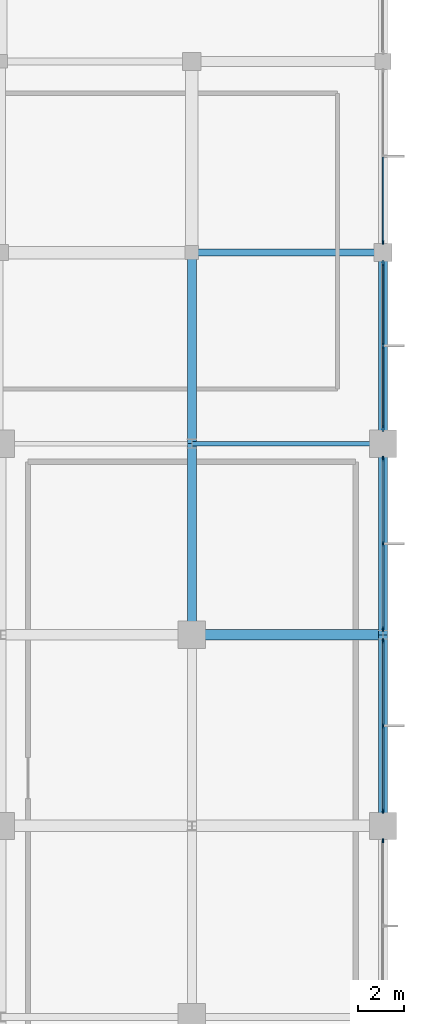
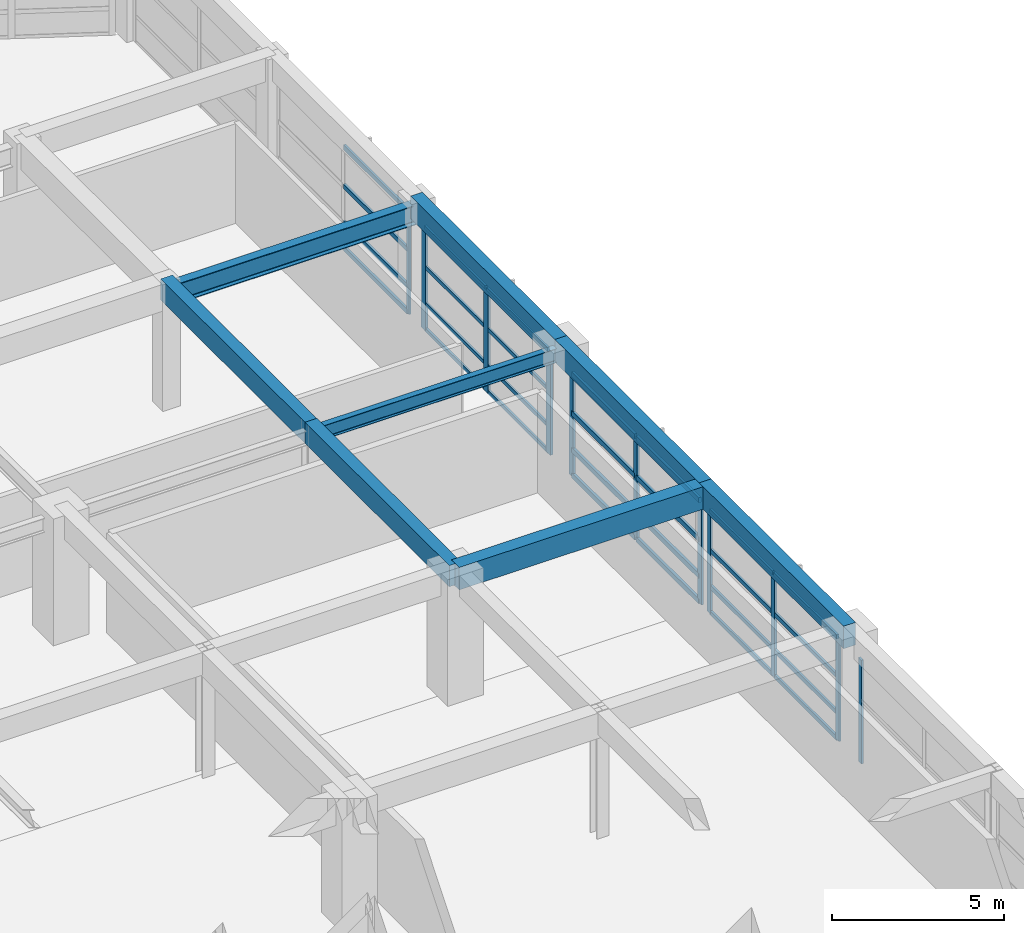
# One storey, part 39 of 65: 39 members, 8 beams, 5 elements without a shape of their own.
"""IFC4 building model written with IfcOpenShell, lengths in metres."""

import ifcopenshell
import ifcopenshell.guid

model = None  # the IFC model being written
_history = None  # IfcOwnerHistory: only IFC2X3 demands one
_inside = {}  # id of a spatial element -> (the spatial element, [elements in it])
_under = {}  # id of a project, library or spatial element -> (it, [spatial elements below it])
_declared = {}  # id of a project -> (the project, [libraries it declares])
_typed = {}  # id of a type object -> (the type object, [elements of that type])
_made_of = {}  # id of a material, layer set ... -> (it, [elements and type objects made of it])


def new_model(schema):
    """Start an empty IFC model of exactly this schema.

    Asked for "IFC4X3", IfcOpenShell would pick the latest addendum, in which some entities
    have other attributes; the version numbers below select the first issue.
    IFC2X3 requires an IfcOwnerHistory on every rooted entity: one is made here for all.
    """
    global model, _history
    if schema == "IFC4X3":
        model = ifcopenshell.file(schema_version=(4, 3, 0, 0))
    else:
        model = ifcopenshell.file(schema=schema)
    _inside.clear()
    _under.clear()
    _declared.clear()
    _typed.clear()
    _made_of.clear()
    _history = None
    if model.schema == "IFC2X3":
        org = make("IfcOrganization", Name="unknown")
        user = make(
            "IfcPersonAndOrganization",
            ThePerson=make("IfcPerson", FamilyName="unknown"),
            TheOrganization=org,
        )
        app = make(
            "IfcApplication",
            ApplicationDeveloper=org,
            Version="unknown",
            ApplicationFullName="unknown",
            ApplicationIdentifier="unknown",
        )
        _history = make(
            "IfcOwnerHistory",
            OwningUser=user,
            OwningApplication=app,
            ChangeAction="ADDED",
            CreationDate=0,
        )
    return model


def make(cls, **values):
    """One entity of the class cls with the attributes given. An attribute that is None is left unset."""
    return model.create_entity(
        cls, **{name: value for name, value in values.items() if value is not None}
    )


def rooted(cls, **values):
    """An entity with a GlobalId (a new one), such as an element, a storey or a relation."""
    return make(cls, GlobalId=ifcopenshell.guid.new(), OwnerHistory=_history, **values)


def si_unit(unit_type, name, prefix=None):
    """IfcSIUnit, for example si_unit("LENGTHUNIT", "METRE", prefix="MILLI")."""
    return make("IfcSIUnit", UnitType=unit_type, Prefix=prefix, Name=name)


def assignment(units):
    """IfcUnitAssignment: the units of a project."""
    return None if units is None else make("IfcUnitAssignment", Units=units)


def point(xyz):
    """IfcCartesianPoint."""
    return None if xyz is None else make("IfcCartesianPoint", Coordinates=xyz)


def direction(xyz):
    """IfcDirection."""
    return None if xyz is None else make("IfcDirection", DirectionRatios=xyz)


def frame(location, z_axis=None, x_axis=None):
    """IfcAxis2Placement3D, a coordinate frame: its origin and axes. An axis left out is left unset."""
    return make(
        "IfcAxis2Placement3D",
        Location=point(location),
        Axis=direction(z_axis),
        RefDirection=direction(x_axis),
    )


def frame_2d(location, x_axis=None):
    """IfcAxis2Placement2D, a coordinate frame in the plane: its origin and x axis."""
    return make(
        "IfcAxis2Placement2D", Location=point(location), RefDirection=direction(x_axis)
    )


def origin():
    """The frame at (0, 0, 0) with its axes left unset."""
    return frame((0.0, 0.0, 0.0))


def origin_2d():
    """The frame at (0, 0) in the plane with its x axis left unset."""
    return frame_2d((0.0, 0.0))


def place(relative_to, where):
    """IfcLocalPlacement: puts the frame where relative to a parent placement (None: the world)."""
    return make(
        "IfcLocalPlacement", PlacementRelTo=relative_to, RelativePlacement=where
    )


def context(
    kind, dimensions, precision=None, world=None, true_north=None, identifier=None
):
    """IfcGeometricRepresentationContext, for example the 3D "Model" context."""
    return make(
        "IfcGeometricRepresentationContext",
        ContextIdentifier=identifier,
        ContextType=kind,
        CoordinateSpaceDimension=dimensions,
        Precision=precision,
        WorldCoordinateSystem=world,
        TrueNorth=true_north,
    )


def subcontext(parent, identifier, kind, view, scale=None):
    """IfcGeometricRepresentationSubContext, for example "Body" below "Model"."""
    return make(
        "IfcGeometricRepresentationSubContext",
        ContextIdentifier=identifier,
        ContextType=kind,
        ParentContext=parent,
        TargetScale=scale,
        TargetView=view,
    )


def project(units=None, contexts=None):
    """IfcProject with its units and contexts."""
    return rooted(
        "IfcProject",
        Name="project",
        RepresentationContexts=contexts,
        UnitsInContext=assignment(units),
    )


def spatial(cls, under=None, at=None, **own):
    """A site, building, storey or space (cls), placed at a placement, below another one or the project."""
    s = rooted(cls, ObjectPlacement=at, **own)
    if under is not None:
        _under.setdefault(under.id(), (under, []))[1].append(s)
    return s


def profile(cls, at=None, kind="AREA", **sizes):
    """A parametric profile (cls). Its sizes go by their IFC names, for example OverallWidth=200.0."""
    return make(cls, ProfileType=kind, Position=at, **sizes)


def rectangle(**sizes):
    """IfcRectangleProfileDef."""
    return profile("IfcRectangleProfileDef", **sizes)


def i_section(**sizes):
    """IfcIShapeProfileDef."""
    return profile("IfcIShapeProfileDef", **sizes)


def extrude(swept, where, along, depth):
    """IfcExtrudedAreaSolid: the profile swept, set in the frame where, extruded along a direction by depth."""
    return make(
        "IfcExtrudedAreaSolid",
        SweptArea=swept,
        Position=where,
        ExtrudedDirection=direction(along),
        Depth=depth,
    )


def shape(context_of_items, identifier, shape_type, items):
    """IfcShapeRepresentation: the items that make up one representation, for example the "Body"."""
    return make(
        "IfcShapeRepresentation",
        ContextOfItems=context_of_items,
        RepresentationIdentifier=identifier,
        RepresentationType=shape_type,
        Items=items,
    )


def material(Name=None, Category=None):
    """IfcMaterial."""
    return make("IfcMaterial", Name=Name, Category=Category)


def material_profile(
    of_material, cross_section, Name=None, Category=None, Priority=None
):
    """IfcMaterialProfile: a cross section and its material."""
    return make(
        "IfcMaterialProfile",
        Name=Name,
        Material=of_material,
        Profile=cross_section,
        Priority=Priority,
        Category=Category,
    )


def profile_set(profiles, Name=None, composite=None):
    """IfcMaterialProfileSet."""
    return make(
        "IfcMaterialProfileSet",
        Name=Name,
        MaterialProfiles=profiles,
        CompositeProfile=composite,
    )


def made_of(thing, what):
    """Note that an element or type object is made of a material, layer set ...; save() writes the relation."""
    if what is not None:
        _made_of.setdefault(what.id(), (what, []))[1].append(thing)
    return thing


def type_object(cls, material=None, **own):
    """A type object (cls), such as IfcWallType, which elements share."""
    return made_of(rooted(cls, **own), material)


def element(
    cls,
    number,
    at=None,
    inside=None,
    cuts=None,
    type_object=None,
    material=None,
    context=None,
    identifier="Body",
    shape_type=None,
    held_by="IfcProductDefinitionShape",
    body=None,
    shapes=None,
    **own,
):
    """One element of the class cls, such as IfcWall. Its Tag is "e" and its number.

    at: its placement. inside: the storey or other place that contains it. cuts: it is an
    opening in that element (IfcRelVoidsElement). A single representation is given by context,
    identifier, shape_type and body (its items); several are given by shapes. held_by: the class
    of the entity that holds the representations. save() writes the other relations.
    """
    e = rooted(cls, Tag="e%d" % number, ObjectPlacement=at, **own)
    if body is not None:
        shapes = [shape(context, identifier, shape_type, body)]
    if shapes is not None:
        e.Representation = make(held_by, Representations=shapes)
    if inside is not None:
        _inside.setdefault(inside.id(), (inside, []))[1].append(e)
    if cuts is not None:
        rooted(
            "IfcRelVoidsElement", RelatingBuildingElement=cuts, RelatedOpeningElement=e
        )
    if type_object is not None:
        _typed.setdefault(type_object.id(), (type_object, []))[1].append(e)
    return made_of(e, material)


def aggregate(whole, parts):
    """IfcRelAggregates: a whole, such as a stair, and the parts it consists of."""
    return rooted("IfcRelAggregates", RelatingObject=whole, RelatedObjects=parts)


def save(model, path):
    """Write the relations noted so far, then the file.

    IfcRelAggregates (storeys below a building ...), IfcRelContainedInSpatialStructure (elements
    in a storey), IfcRelDefinesByType, IfcRelAssociatesMaterial and IfcRelDeclares: one each for
    every whole, place, type object, material and project.
    """
    for whole, parts in _under.values():
        aggregate(whole, parts)
    for where, things in _inside.values():
        rooted(
            "IfcRelContainedInSpatialStructure",
            RelatedElements=things,
            RelatingStructure=where,
        )
    for kind, things in _typed.values():
        rooted("IfcRelDefinesByType", RelatedObjects=things, RelatingType=kind)
    for what, things in _made_of.values():
        rooted("IfcRelAssociatesMaterial", RelatedObjects=things, RelatingMaterial=what)
    for by, libraries in _declared.values():
        rooted("IfcRelDeclares", RelatingContext=by, RelatedDefinitions=libraries)
    model.write(path)


model = new_model("IFC4")

# Units and contexts
model_context = context("Model", 3, precision=1e-05, world=origin(), true_north=direction((0.0, 1.0)))
body_context = subcontext(model_context, "Body", "Model", "MODEL_VIEW")
ifc_project = project(units=[si_unit("LENGTHUNIT", "METRE"), si_unit("AREAUNIT", "SQUARE_METRE"), si_unit("VOLUMEUNIT", "CUBIC_METRE"), si_unit("PLANEANGLEUNIT", "RADIAN"), si_unit("MASSUNIT", "GRAM", prefix="KILO")], contexts=[model_context])

# Site, building, storey
site_placement = place(None, origin())
site = spatial("IfcSite", under=ifc_project, at=site_placement, CompositionType="ELEMENT")
building_placement = place(site_placement, origin())
building = spatial("IfcBuilding", under=site, at=building_placement, Name="Xuanlan Plaza Opera House", CompositionType="ELEMENT")
storey_placement = place(building_placement, frame((0.0, 0.0, 5.39990234375)))
storey = spatial("IfcBuildingStorey", under=building, at=storey_placement, Name="L01", CompositionType="ELEMENT", Elevation=5.39990234375)

# Curtain wall, member
ifc_material_1 = material(Name="Anodised Aluminium 6063-T6 and Low-E Glass", Category="aluminium")
curtain_wall_type_1 = type_object("IfcCurtainWallType", Name="ENV-CW-CW-03", PredefinedType="USERDEFINED", material=ifc_material_1)
curtain_wall_1_placement = place(storey_placement, origin())
curtain_wall_1 = element("IfcCurtainWall", 1, at=curtain_wall_1_placement, inside=storey, type_object=curtain_wall_type_1, Name="Unitised Curtain Wall L01-028", ObjectType="UNITISED CURTAIN WALL", PredefinedType="USERDEFINED")
ifc_material_2 = material(Name="Anodised Aluminium 6063-T6", Category="aluminium")
ifc_material_profile_1 = material_profile(ifc_material_2, rectangle(XDim=0.06494140625, YDim=0.159912109375, at=origin_2d()), Name="ALU-M 65x160")
ifc_profile_set_1 = profile_set([ifc_material_profile_1], Name="Anodised Aluminium 6063-T6")
member_type_1 = type_object("IfcMemberType", Name="ENV-CWM-01", PredefinedType="MULLION", material=ifc_profile_set_1)
member_1_placement = place(storey_placement, frame((168.0, 92.8525390625, 0.0), z_axis=(0.0, 0.0, 1.0), x_axis=(-1.0, 0.0, 0.0)))
member_1 = element("IfcMember", 2, at=member_1_placement, type_object=member_type_1, Name="CW-03 mullion 1", PredefinedType="MULLION", context=body_context, shape_type="SweptSolid", body=[
    extrude(rectangle(XDim=0.06494140625, YDim=0.159912109375, at=origin_2d()), origin(), (0.0, 0.0, 1.0), 3.68017578125),
])

curtain_wall_2_placement = place(storey_placement, origin())
curtain_wall_2 = element("IfcCurtainWall", 3, at=curtain_wall_2_placement, inside=storey, type_object=curtain_wall_type_1, Name="Unitised Curtain Wall L01-024", ObjectType="UNITISED CURTAIN WALL", PredefinedType="USERDEFINED")
ifc_material_profile_2 = material_profile(ifc_material_2, rectangle(XDim=0.070068359375, YDim=0.179931640625, at=origin_2d()), Name="ALU-M 70x180")
ifc_profile_set_2 = profile_set([ifc_material_profile_2], Name="Anodised Aluminium 6063-T6")
member_type_2 = type_object("IfcMemberType", Name="ENV-CWM-02", PredefinedType="MULLION", material=ifc_profile_set_2)
member_2_placement = place(storey_placement, frame((168.0, 66.544921875, 0.0), z_axis=(0.0, 0.0, 1.0), x_axis=(-1.0, 0.0, 0.0)))
member_2 = element("IfcMember", 4, at=member_2_placement, type_object=member_type_2, Name="CW-03 mullion 3", PredefinedType="MULLION", context=body_context, shape_type="SweptSolid", body=[
    extrude(rectangle(XDim=0.070068359375, YDim=0.179931640625, at=origin_2d()), origin(), (0.0, 0.0, 1.0), 3.68017578125),
])
aggregate(curtain_wall_2, [member_2])

# Curtain wall, members
curtain_wall_type_2 = type_object("IfcCurtainWallType", Name="ENV-CW-CW-04", PredefinedType="USERDEFINED", material=ifc_material_1)
curtain_wall_3_placement = place(storey_placement, origin())
curtain_wall_3 = element("IfcCurtainWall", 5, at=curtain_wall_3_placement, inside=storey, type_object=curtain_wall_type_2, Name="Unitised Curtain Wall L01-025", ObjectType="UNITISED CURTAIN WALL", PredefinedType="USERDEFINED")
ifc_material_profile_3 = material_profile(ifc_material_2, rectangle(XDim=0.074951171875, YDim=0.199951171875, at=origin_2d()), Name="ALU-M 75x200")
ifc_profile_set_3 = profile_set([ifc_material_profile_3], Name="Anodised Aluminium 6063-T6")
member_type_3 = type_object("IfcMemberType", Name="ENV-CWM-03", PredefinedType="MULLION", material=ifc_profile_set_3)
member_3_placement = place(storey_placement, frame((168.0, 67.857421875, 0.0), z_axis=(0.0, 0.0, 1.0), x_axis=(-1.0, 0.0, 0.0)))
member_3 = element("IfcMember", 6, at=member_3_placement, type_object=member_type_3, Name="CW-04 mullion 1", PredefinedType="MULLION", context=body_context, shape_type="SweptSolid", body=[
    extrude(rectangle(XDim=0.074951171875, YDim=0.199951171875, at=origin_2d()), origin(), (0.0, 0.0, 1.0), 3.68017578125),
])
member_4_placement = place(storey_placement, frame((168.0, 71.596435546875, 0.0), z_axis=(0.0, 0.0, 1.0), x_axis=(-1.0, 0.0, 0.0)))
member_4 = element("IfcMember", 7, at=member_4_placement, type_object=member_type_3, Name="CW-04 mullion 2", PredefinedType="MULLION", context=body_context, shape_type="SweptSolid", body=[
    extrude(rectangle(XDim=0.074951171875, YDim=0.199951171875, at=origin_2d()), origin(), (0.0, 0.0, 1.0), 3.68017578125),
])
member_5_placement = place(storey_placement, frame((168.0, 75.33544921875, 0.0), z_axis=(0.0, 0.0, 1.0), x_axis=(-1.0, 0.0, 0.0)))
member_5 = element("IfcMember", 8, at=member_5_placement, type_object=member_type_3, Name="CW-04 mullion 3", PredefinedType="MULLION", context=body_context, shape_type="SweptSolid", body=[
    extrude(rectangle(XDim=0.074951171875, YDim=0.199951171875, at=origin_2d()), origin(), (0.0, 0.0, 1.0), 3.68017578125),
])

curtain_wall_type_3 = type_object("IfcCurtainWallType", Name="ENV-CW-CW-01", PredefinedType="USERDEFINED", material=ifc_material_1)
curtain_wall_4_placement = place(storey_placement, origin())
curtain_wall_4 = element("IfcCurtainWall", 9, at=curtain_wall_4_placement, inside=storey, type_object=curtain_wall_type_3, Name="Unitised Curtain Wall L01-026", ObjectType="UNITISED CURTAIN WALL", PredefinedType="USERDEFINED")
ifc_material_profile_4 = material_profile(ifc_material_2, rectangle(XDim=0.080078125, YDim=0.219970703125, at=origin_2d()), Name="ALU-M 80x220")
ifc_profile_set_4 = profile_set([ifc_material_profile_4], Name="Anodised Aluminium 6063-T6")
member_type_4 = type_object("IfcMemberType", Name="ENV-CWM-04", PredefinedType="MULLION", material=ifc_profile_set_4)
member_6_placement = place(storey_placement, frame((168.0, 75.866943359375, 0.0), z_axis=(0.0, 0.0, 1.0), x_axis=(-1.0, 0.0, 0.0)))
member_6 = element("IfcMember", 10, at=member_6_placement, type_object=member_type_4, Name="CW-01 mullion 1", PredefinedType="MULLION", context=body_context, shape_type="SweptSolid", body=[
    extrude(rectangle(XDim=0.080078125, YDim=0.219970703125, at=origin_2d()), origin(), (0.0, 0.0, 1.0), 3.68017578125),
])
member_7_placement = place(storey_placement, frame((168.0, 79.603515625, 0.0), z_axis=(0.0, 0.0, 1.0), x_axis=(-1.0, 0.0, 0.0)))
member_7 = element("IfcMember", 11, at=member_7_placement, type_object=member_type_4, Name="CW-01 mullion 2", PredefinedType="MULLION", context=body_context, shape_type="SweptSolid", body=[
    extrude(rectangle(XDim=0.080078125, YDim=0.219970703125, at=origin_2d()), origin(), (0.0, 0.0, 1.0), 3.68017578125),
])
member_8_placement = place(storey_placement, frame((168.0, 83.340087890625, 0.0), z_axis=(0.0, 0.0, 1.0), x_axis=(-1.0, 0.0, 0.0)))
member_8 = element("IfcMember", 12, at=member_8_placement, type_object=member_type_4, Name="CW-01 mullion 3", PredefinedType="MULLION", context=body_context, shape_type="SweptSolid", body=[
    extrude(rectangle(XDim=0.080078125, YDim=0.219970703125, at=origin_2d()), origin(), (0.0, 0.0, 1.0), 3.68017578125),
])

curtain_wall_type_4 = type_object("IfcCurtainWallType", Name="ENV-CW-CW-02", PredefinedType="USERDEFINED", material=ifc_material_1)
curtain_wall_5_placement = place(storey_placement, origin())
curtain_wall_5 = element("IfcCurtainWall", 13, at=curtain_wall_5_placement, inside=storey, type_object=curtain_wall_type_4, Name="Unitised Curtain Wall L01-027", ObjectType="UNITISED CURTAIN WALL", PredefinedType="USERDEFINED")
ifc_material_profile_5 = material_profile(ifc_material_2, rectangle(XDim=0.090087890625, YDim=0.25, at=origin_2d()), Name="ALU-M 90x250")
ifc_profile_set_5 = profile_set([ifc_material_profile_5], Name="Anodised Aluminium 6063-T6")
member_type_5 = type_object("IfcMemberType", Name="ENV-CWM-05", PredefinedType="MULLION", material=ifc_profile_set_5)
member_9_placement = place(storey_placement, frame((168.0, 84.6650390625, 0.0), z_axis=(0.0, 0.0, 1.0), x_axis=(-1.0, 0.0, 0.0)))
member_9 = element("IfcMember", 14, at=member_9_placement, type_object=member_type_5, Name="CW-02 mullion 1", PredefinedType="MULLION", context=body_context, shape_type="SweptSolid", body=[
    extrude(rectangle(XDim=0.090087890625, YDim=0.25, at=origin_2d()), origin(), (0.0, 0.0, 1.0), 3.68017578125),
])
member_10_placement = place(storey_placement, frame((168.0, 88.300048828125, 0.0), z_axis=(0.0, 0.0, 1.0), x_axis=(-1.0, 0.0, 0.0)))
member_10 = element("IfcMember", 15, at=member_10_placement, type_object=member_type_5, Name="CW-02 mullion 2", PredefinedType="MULLION", context=body_context, shape_type="SweptSolid", body=[
    extrude(rectangle(XDim=0.090087890625, YDim=0.25, at=origin_2d()), origin(), (0.0, 0.0, 1.0), 3.68017578125),
])
member_11_placement = place(storey_placement, frame((168.0, 91.93505859375, 0.0), z_axis=(0.0, 0.0, 1.0), x_axis=(-1.0, 0.0, 0.0)))
member_11 = element("IfcMember", 16, at=member_11_placement, type_object=member_type_5, Name="CW-02 mullion 3", PredefinedType="MULLION", context=body_context, shape_type="SweptSolid", body=[
    extrude(rectangle(XDim=0.090087890625, YDim=0.25, at=origin_2d()), origin(), (0.0, 0.0, 1.0), 3.68017578125),
])
ifc_material_profile_6 = material_profile(ifc_material_2, rectangle(XDim=0.070068359375, YDim=0.135009765625, at=origin_2d()), Name="ALU-T 70x135")
ifc_profile_set_6 = profile_set([ifc_material_profile_6], Name="Anodised Aluminium 6063-T6")
member_type_6 = type_object("IfcMemberType", Name="ENV-CWT-02", PredefinedType="USERDEFINED", material=ifc_profile_set_6)
member_12_placement = place(storey_placement, frame((168.0, 84.7099609375, 0.03515625), z_axis=(0.0, 1.0, 0.0), x_axis=(-1.0, 0.0, 0.0)))
member_12 = element("IfcMember", 17, at=member_12_placement, type_object=member_type_6, Name="CW-02 transom 1.1", ObjectType="TRANSOM", PredefinedType="USERDEFINED", context=body_context, shape_type="SweptSolid", body=[
    extrude(rectangle(XDim=0.070068359375, YDim=0.135009765625, at=origin_2d()), origin(), (0.0, 0.0, 1.0), 3.544921875),
])
member_13_placement = place(storey_placement, frame((168.0, 84.7099609375, 0.9501953125), z_axis=(0.0, 1.0, 0.0), x_axis=(-1.0, 0.0, 0.0)))
member_13 = element("IfcMember", 18, at=member_13_placement, type_object=member_type_6, Name="CW-02 transom 1.2", ObjectType="TRANSOM", PredefinedType="USERDEFINED", context=body_context, shape_type="SweptSolid", body=[
    extrude(rectangle(XDim=0.070068359375, YDim=0.135009765625, at=origin_2d()), origin(), (0.0, 0.0, 1.0), 3.544921875),
])
member_14_placement = place(storey_placement, frame((168.0, 84.7099609375, 2.25), z_axis=(0.0, 1.0, 0.0), x_axis=(-1.0, 0.0, 0.0)))
member_14 = element("IfcMember", 19, at=member_14_placement, type_object=member_type_6, Name="CW-02 transom 1.3", ObjectType="TRANSOM", PredefinedType="USERDEFINED", context=body_context, shape_type="SweptSolid", body=[
    extrude(rectangle(XDim=0.070068359375, YDim=0.135009765625, at=origin_2d()), origin(), (0.0, 0.0, 1.0), 3.544921875),
])
member_15_placement = place(storey_placement, frame((168.0, 84.7099609375, 3.64501953125), z_axis=(0.0, 1.0, 0.0), x_axis=(-1.0, 0.0, 0.0)))
member_15 = element("IfcMember", 20, at=member_15_placement, type_object=member_type_6, Name="CW-02 transom 1.4", ObjectType="TRANSOM", PredefinedType="USERDEFINED", context=body_context, shape_type="SweptSolid", body=[
    extrude(rectangle(XDim=0.070068359375, YDim=0.135009765625, at=origin_2d()), origin(), (0.0, 0.0, 1.0), 3.544921875),
])
member_16_placement = place(storey_placement, frame((168.0, 88.344970703125, 0.03515625), z_axis=(0.0, 1.0, 0.0), x_axis=(-1.0, 0.0, 0.0)))
member_16 = element("IfcMember", 21, at=member_16_placement, type_object=member_type_6, Name="CW-02 transom 2.1", ObjectType="TRANSOM", PredefinedType="USERDEFINED", context=body_context, shape_type="SweptSolid", body=[
    extrude(rectangle(XDim=0.070068359375, YDim=0.135009765625, at=origin_2d()), origin(), (0.0, 0.0, 1.0), 3.544921875),
])
member_17_placement = place(storey_placement, frame((168.0, 88.344970703125, 0.9501953125), z_axis=(0.0, 1.0, 0.0), x_axis=(-1.0, 0.0, 0.0)))
member_17 = element("IfcMember", 22, at=member_17_placement, type_object=member_type_6, Name="CW-02 transom 2.2", ObjectType="TRANSOM", PredefinedType="USERDEFINED", context=body_context, shape_type="SweptSolid", body=[
    extrude(rectangle(XDim=0.070068359375, YDim=0.135009765625, at=origin_2d()), origin(), (0.0, 0.0, 1.0), 3.544921875),
])
member_18_placement = place(storey_placement, frame((168.0, 88.344970703125, 2.25), z_axis=(0.0, 1.0, 0.0), x_axis=(-1.0, 0.0, 0.0)))
member_18 = element("IfcMember", 23, at=member_18_placement, type_object=member_type_6, Name="CW-02 transom 2.3", ObjectType="TRANSOM", PredefinedType="USERDEFINED", context=body_context, shape_type="SweptSolid", body=[
    extrude(rectangle(XDim=0.070068359375, YDim=0.135009765625, at=origin_2d()), origin(), (0.0, 0.0, 1.0), 3.544921875),
])
member_19_placement = place(storey_placement, frame((168.0, 88.344970703125, 3.64501953125), z_axis=(0.0, 1.0, 0.0), x_axis=(-1.0, 0.0, 0.0)))
member_19 = element("IfcMember", 24, at=member_19_placement, type_object=member_type_6, Name="CW-02 transom 2.4", ObjectType="TRANSOM", PredefinedType="USERDEFINED", context=body_context, shape_type="SweptSolid", body=[
    extrude(rectangle(XDim=0.070068359375, YDim=0.135009765625, at=origin_2d()), origin(), (0.0, 0.0, 1.0), 3.544921875),
])
aggregate(curtain_wall_5, [member_9, member_10, member_11, member_12, member_13, member_14, member_15, member_16, member_17, member_18, member_19])

# Member
ifc_material_profile_7 = material_profile(ifc_material_2, rectangle(XDim=0.074951171875, YDim=0.14990234375, at=origin_2d()), Name="ALU-T 75x150")
ifc_profile_set_7 = profile_set([ifc_material_profile_7], Name="Anodised Aluminium 6063-T6")
member_type_7 = type_object("IfcMemberType", Name="ENV-CWT-03", PredefinedType="USERDEFINED", material=ifc_profile_set_7)
member_20_placement = place(storey_placement, frame((168.0, 67.89501953125, 0.03759765625), z_axis=(0.0, 1.0, 0.0), x_axis=(-1.0, 0.0, 0.0)))
member_20 = element("IfcMember", 25, at=member_20_placement, type_object=member_type_7, Name="CW-04 transom 1.1", ObjectType="TRANSOM", PredefinedType="USERDEFINED", context=body_context, shape_type="SweptSolid", body=[
    extrude(rectangle(XDim=0.074951171875, YDim=0.14990234375, at=origin_2d()), origin(), (0.0, 0.0, 1.0), 3.6640625),
])

member_21_placement = place(storey_placement, frame((168.0, 67.89501953125, 0.9501953125), z_axis=(0.0, 1.0, 0.0), x_axis=(-1.0, 0.0, 0.0)))
member_21 = element("IfcMember", 26, at=member_21_placement, type_object=member_type_7, Name="CW-04 transom 1.2", ObjectType="TRANSOM", PredefinedType="USERDEFINED", context=body_context, shape_type="SweptSolid", body=[
    extrude(rectangle(XDim=0.074951171875, YDim=0.14990234375, at=origin_2d()), origin(), (0.0, 0.0, 1.0), 3.6640625),
])

member_22_placement = place(storey_placement, frame((168.0, 67.89501953125, 2.25), z_axis=(0.0, 1.0, 0.0), x_axis=(-1.0, 0.0, 0.0)))
member_22 = element("IfcMember", 27, at=member_22_placement, type_object=member_type_7, Name="CW-04 transom 1.3", ObjectType="TRANSOM", PredefinedType="USERDEFINED", context=body_context, shape_type="SweptSolid", body=[
    extrude(rectangle(XDim=0.074951171875, YDim=0.14990234375, at=origin_2d()), origin(), (0.0, 0.0, 1.0), 3.6640625),
])

member_23_placement = place(storey_placement, frame((168.0, 67.89501953125, 3.642578125), z_axis=(0.0, 1.0, 0.0), x_axis=(-1.0, 0.0, 0.0)))
member_23 = element("IfcMember", 28, at=member_23_placement, type_object=member_type_7, Name="CW-04 transom 1.4", ObjectType="TRANSOM", PredefinedType="USERDEFINED", context=body_context, shape_type="SweptSolid", body=[
    extrude(rectangle(XDim=0.074951171875, YDim=0.14990234375, at=origin_2d()), origin(), (0.0, 0.0, 1.0), 3.6640625),
])

member_24_placement = place(storey_placement, frame((168.0, 71.634033203125, 0.03759765625), z_axis=(0.0, 1.0, 0.0), x_axis=(-1.0, 0.0, 0.0)))
member_24 = element("IfcMember", 29, at=member_24_placement, type_object=member_type_7, Name="CW-04 transom 2.1", ObjectType="TRANSOM", PredefinedType="USERDEFINED", context=body_context, shape_type="SweptSolid", body=[
    extrude(rectangle(XDim=0.074951171875, YDim=0.14990234375, at=origin_2d()), origin(), (0.0, 0.0, 1.0), 3.6640625),
])

member_25_placement = place(storey_placement, frame((168.0, 71.634033203125, 0.9501953125), z_axis=(0.0, 1.0, 0.0), x_axis=(-1.0, 0.0, 0.0)))
member_25 = element("IfcMember", 30, at=member_25_placement, type_object=member_type_7, Name="CW-04 transom 2.2", ObjectType="TRANSOM", PredefinedType="USERDEFINED", context=body_context, shape_type="SweptSolid", body=[
    extrude(rectangle(XDim=0.074951171875, YDim=0.14990234375, at=origin_2d()), origin(), (0.0, 0.0, 1.0), 3.6640625),
])

member_26_placement = place(storey_placement, frame((168.0, 71.634033203125, 2.25), z_axis=(0.0, 1.0, 0.0), x_axis=(-1.0, 0.0, 0.0)))
member_26 = element("IfcMember", 31, at=member_26_placement, type_object=member_type_7, Name="CW-04 transom 2.3", ObjectType="TRANSOM", PredefinedType="USERDEFINED", context=body_context, shape_type="SweptSolid", body=[
    extrude(rectangle(XDim=0.074951171875, YDim=0.14990234375, at=origin_2d()), origin(), (0.0, 0.0, 1.0), 3.6640625),
])

member_27_placement = place(storey_placement, frame((168.0, 71.634033203125, 3.642578125), z_axis=(0.0, 1.0, 0.0), x_axis=(-1.0, 0.0, 0.0)))
member_27 = element("IfcMember", 32, at=member_27_placement, type_object=member_type_7, Name="CW-04 transom 2.4", ObjectType="TRANSOM", PredefinedType="USERDEFINED", context=body_context, shape_type="SweptSolid", body=[
    extrude(rectangle(XDim=0.074951171875, YDim=0.14990234375, at=origin_2d()), origin(), (0.0, 0.0, 1.0), 3.6640625),
])

aggregate(curtain_wall_3, [member_3, member_4, member_5, member_20, member_21, member_22, member_23, member_24, member_25, member_26, member_27])

ifc_material_profile_8 = material_profile(ifc_material_2, rectangle(XDim=0.080078125, YDim=0.1650390625, at=origin_2d()), Name="ALU-T 80x165")
ifc_profile_set_8 = profile_set([ifc_material_profile_8], Name="Anodised Aluminium 6063-T6")
member_type_8 = type_object("IfcMemberType", Name="ENV-CWT-04", PredefinedType="USERDEFINED", material=ifc_profile_set_8)
member_28_placement = place(storey_placement, frame((168.0, 92.885009765625, 0.0400390625), z_axis=(0.0, 1.0, 0.0), x_axis=(-1.0, 0.0, 0.0)))
member_28 = element("IfcMember", 33, at=member_28_placement, type_object=member_type_8, Name="CW-03 transom 1.1", ObjectType="TRANSOM", PredefinedType="USERDEFINED", context=body_context, shape_type="SweptSolid", body=[
    extrude(rectangle(XDim=0.080078125, YDim=0.1650390625, at=origin_2d()), origin(), (0.0, 0.0, 1.0), 3.70751953125),
])

member_29_placement = place(storey_placement, frame((168.0, 92.885009765625, 0.9501953125), z_axis=(0.0, 1.0, 0.0), x_axis=(-1.0, 0.0, 0.0)))
member_29 = element("IfcMember", 34, at=member_29_placement, type_object=member_type_8, Name="CW-03 transom 1.2", ObjectType="TRANSOM", PredefinedType="USERDEFINED", context=body_context, shape_type="SweptSolid", body=[
    extrude(rectangle(XDim=0.080078125, YDim=0.1650390625, at=origin_2d()), origin(), (0.0, 0.0, 1.0), 3.70751953125),
])

member_30_placement = place(storey_placement, frame((168.0, 92.885009765625, 2.25), z_axis=(0.0, 1.0, 0.0), x_axis=(-1.0, 0.0, 0.0)))
member_30 = element("IfcMember", 35, at=member_30_placement, type_object=member_type_8, Name="CW-03 transom 1.3", ObjectType="TRANSOM", PredefinedType="USERDEFINED", context=body_context, shape_type="SweptSolid", body=[
    extrude(rectangle(XDim=0.080078125, YDim=0.1650390625, at=origin_2d()), origin(), (0.0, 0.0, 1.0), 3.70751953125),
])

member_31_placement = place(storey_placement, frame((168.0, 92.885009765625, 3.64013671875), z_axis=(0.0, 1.0, 0.0), x_axis=(-1.0, 0.0, 0.0)))
member_31 = element("IfcMember", 36, at=member_31_placement, type_object=member_type_8, Name="CW-03 transom 1.4", ObjectType="TRANSOM", PredefinedType="USERDEFINED", context=body_context, shape_type="SweptSolid", body=[
    extrude(rectangle(XDim=0.080078125, YDim=0.1650390625, at=origin_2d()), origin(), (0.0, 0.0, 1.0), 3.70751953125),
])

aggregate(curtain_wall_1, [member_1, member_28, member_29, member_30, member_31])

ifc_material_profile_9 = material_profile(ifc_material_2, rectangle(XDim=0.090087890625, YDim=0.179931640625, at=origin_2d()), Name="ALU-T 90x180")
ifc_profile_set_9 = profile_set([ifc_material_profile_9], Name="Anodised Aluminium 6063-T6")
member_type_9 = type_object("IfcMemberType", Name="ENV-CWT-05", PredefinedType="USERDEFINED", material=ifc_profile_set_9)
member_32_placement = place(storey_placement, frame((168.0, 75.906982421875, 0.045166015625), z_axis=(0.0, 1.0, 0.0), x_axis=(-1.0, 0.0, 0.0)))
member_32 = element("IfcMember", 37, at=member_32_placement, type_object=member_type_9, Name="CW-01 transom 1.1", ObjectType="TRANSOM", PredefinedType="USERDEFINED", context=body_context, shape_type="SweptSolid", body=[
    extrude(rectangle(XDim=0.090087890625, YDim=0.179931640625, at=origin_2d()), origin(), (0.0, 0.0, 1.0), 3.656494140625),
])

member_33_placement = place(storey_placement, frame((168.0, 75.906982421875, 0.9501953125), z_axis=(0.0, 1.0, 0.0), x_axis=(-1.0, 0.0, 0.0)))
member_33 = element("IfcMember", 38, at=member_33_placement, type_object=member_type_9, Name="CW-01 transom 1.2", ObjectType="TRANSOM", PredefinedType="USERDEFINED", context=body_context, shape_type="SweptSolid", body=[
    extrude(rectangle(XDim=0.090087890625, YDim=0.179931640625, at=origin_2d()), origin(), (0.0, 0.0, 1.0), 3.656494140625),
])

member_34_placement = place(storey_placement, frame((168.0, 75.906982421875, 2.25), z_axis=(0.0, 1.0, 0.0), x_axis=(-1.0, 0.0, 0.0)))
member_34 = element("IfcMember", 39, at=member_34_placement, type_object=member_type_9, Name="CW-01 transom 1.3", ObjectType="TRANSOM", PredefinedType="USERDEFINED", context=body_context, shape_type="SweptSolid", body=[
    extrude(rectangle(XDim=0.090087890625, YDim=0.179931640625, at=origin_2d()), origin(), (0.0, 0.0, 1.0), 3.656494140625),
])

member_35_placement = place(storey_placement, frame((168.0, 75.906982421875, 3.635009765625), z_axis=(0.0, 1.0, 0.0), x_axis=(-1.0, 0.0, 0.0)))
member_35 = element("IfcMember", 40, at=member_35_placement, type_object=member_type_9, Name="CW-01 transom 1.4", ObjectType="TRANSOM", PredefinedType="USERDEFINED", context=body_context, shape_type="SweptSolid", body=[
    extrude(rectangle(XDim=0.090087890625, YDim=0.179931640625, at=origin_2d()), origin(), (0.0, 0.0, 1.0), 3.656494140625),
])

member_36_placement = place(storey_placement, frame((168.0, 79.6435546875, 0.045166015625), z_axis=(0.0, 1.0, 0.0), x_axis=(-1.0, 0.0, 0.0)))
member_36 = element("IfcMember", 41, at=member_36_placement, type_object=member_type_9, Name="CW-01 transom 2.1", ObjectType="TRANSOM", PredefinedType="USERDEFINED", context=body_context, shape_type="SweptSolid", body=[
    extrude(rectangle(XDim=0.090087890625, YDim=0.179931640625, at=origin_2d()), origin(), (0.0, 0.0, 1.0), 3.656494140625),
])

member_37_placement = place(storey_placement, frame((168.0, 79.6435546875, 0.9501953125), z_axis=(0.0, 1.0, 0.0), x_axis=(-1.0, 0.0, 0.0)))
member_37 = element("IfcMember", 42, at=member_37_placement, type_object=member_type_9, Name="CW-01 transom 2.2", ObjectType="TRANSOM", PredefinedType="USERDEFINED", context=body_context, shape_type="SweptSolid", body=[
    extrude(rectangle(XDim=0.090087890625, YDim=0.179931640625, at=origin_2d()), origin(), (0.0, 0.0, 1.0), 3.656494140625),
])

member_38_placement = place(storey_placement, frame((168.0, 79.6435546875, 2.25), z_axis=(0.0, 1.0, 0.0), x_axis=(-1.0, 0.0, 0.0)))
member_38 = element("IfcMember", 43, at=member_38_placement, type_object=member_type_9, Name="CW-01 transom 2.3", ObjectType="TRANSOM", PredefinedType="USERDEFINED", context=body_context, shape_type="SweptSolid", body=[
    extrude(rectangle(XDim=0.090087890625, YDim=0.179931640625, at=origin_2d()), origin(), (0.0, 0.0, 1.0), 3.656494140625),
])

member_39_placement = place(storey_placement, frame((168.0, 79.6435546875, 3.635009765625), z_axis=(0.0, 1.0, 0.0), x_axis=(-1.0, 0.0, 0.0)))
member_39 = element("IfcMember", 44, at=member_39_placement, type_object=member_type_9, Name="CW-01 transom 2.4", ObjectType="TRANSOM", PredefinedType="USERDEFINED", context=body_context, shape_type="SweptSolid", body=[
    extrude(rectangle(XDim=0.090087890625, YDim=0.179931640625, at=origin_2d()), origin(), (0.0, 0.0, 1.0), 3.656494140625),
])

aggregate(curtain_wall_4, [member_6, member_7, member_8, member_32, member_33, member_34, member_35, member_36, member_37, member_38, member_39])

# Beams
ifc_material_3 = material(Name="Concrete C40", Category="concrete")
ifc_material_profile_10 = material_profile(ifc_material_3, rectangle(XDim=0.449951171875, YDim=0.800048828125, at=origin_2d()), Name="RC-BM 450x800")
ifc_profile_set_10 = profile_set([ifc_material_profile_10], Name="Concrete C40")
beam_type_1 = type_object("IfcBeamType", Name="STR-BM-B-05", PredefinedType="BEAM", material=ifc_profile_set_10)
beam_1_placement = place(storey_placement, frame((159.60009765625, 75.60009765625, 4.10009765625), z_axis=(1.0, 0.0, 0.0), x_axis=(0.0, 1.0, 0.0)))
element("IfcBeam", 45, at=beam_1_placement, inside=storey, type_object=beam_type_1, Name="Grid Beam X L01 20-21/J", PredefinedType="BEAM", context=body_context, shape_type="SweptSolid", body=[
    extrude(rectangle(XDim=0.449951171875, YDim=0.800048828125, at=origin_2d()), origin(), (0.0, 0.0, 1.0), 8.39990234375),
])
ifc_material_profile_11 = material_profile(ifc_material_3, rectangle(XDim=0.39990234375, YDim=0.75, at=origin_2d()), Name="RC-BM 400x750")
ifc_profile_set_11 = profile_set([ifc_material_profile_11], Name="Concrete C40")
beam_type_2 = type_object("IfcBeamType", Name="STR-BM-B-06", PredefinedType="BEAM", material=ifc_profile_set_11)
for number, where, z_axis, x_axis, name in (
    (46, (159.60009765625, 75.60009765625, 4.125), (0.0, 1.0, 0.0), (-1.0, 0.0, 0.0), "Grid Beam Y L01 20/J-K"),
    (47, (159.60009765625, 84.0, 4.125), (0.0, 1.0, 0.0), (-1.0, 0.0, 0.0), "Grid Beam Y L01 20/K-L"),
):
    element("IfcBeam", number, at=place(storey_placement, frame(where, z_axis=z_axis, x_axis=x_axis)), inside=storey, type_object=beam_type_2, Name=name, PredefinedType="BEAM", context=body_context, shape_type="SweptSolid", body=[
        extrude(rectangle(XDim=0.39990234375, YDim=0.75, at=origin_2d()), origin(), (0.0, 0.0, 1.0), 8.39990234375),
    ])
ifc_material_4 = material(Name="Steel Q355B", Category="steel")
ifc_material_profile_12 = material_profile(ifc_material_4, i_section(OverallWidth=0.300048828125, OverallDepth=0.699951171875, WebThickness=0.012939453125, FlangeThickness=0.02392578125, FilletRadius=0.02392578125, at=origin_2d()), Name="HN 700x300x13x24")
ifc_profile_set_12 = profile_set([ifc_material_profile_12], Name="Steel Q355B")
beam_type_3 = type_object("IfcBeamType", Name="STR-BM-SB-03", PredefinedType="BEAM", material=ifc_profile_set_12)
beam_2_placement = place(storey_placement, frame((159.60009765625, 92.39990234375, 3.885009765625), z_axis=(1.0, 0.0, 0.0), x_axis=(0.0, 1.0, 0.0)))
element("IfcBeam", 48, at=beam_2_placement, inside=storey, type_object=beam_type_3, Name="Grid Beam X L01 20-21/L", PredefinedType="BEAM", context=body_context, shape_type="SweptSolid", body=[
    extrude(i_section(OverallWidth=0.300048828125, OverallDepth=0.699951171875, WebThickness=0.012939453125, FlangeThickness=0.02392578125, FilletRadius=0.02392578125, at=origin_2d()), origin(), (0.0, 0.0, 1.0), 8.39990234375),
])
ifc_material_profile_13 = material_profile(ifc_material_4, i_section(OverallWidth=0.199951171875, OverallDepth=0.5, WebThickness=0.010009765625, FlangeThickness=0.01611328125, FilletRadius=0.02001953125, at=origin_2d()), Name="HN 500x200x10x16")
ifc_profile_set_13 = profile_set([ifc_material_profile_13], Name="Steel Q355B")
beam_type_4 = type_object("IfcBeamType", Name="STR-BM-SB-05", PredefinedType="BEAM", material=ifc_profile_set_13)
beam_3_placement = place(storey_placement, frame((159.60009765625, 84.0, 3.985107421875), z_axis=(1.0, 0.0, 0.0), x_axis=(0.0, 1.0, 0.0)))
element("IfcBeam", 49, at=beam_3_placement, inside=storey, type_object=beam_type_4, Name="Grid Beam X L01 20-21/K", PredefinedType="BEAM", context=body_context, shape_type="SweptSolid", body=[
    extrude(i_section(OverallWidth=0.199951171875, OverallDepth=0.5, WebThickness=0.010009765625, FlangeThickness=0.01611328125, FilletRadius=0.02001953125, at=origin_2d()), origin(), (0.0, 0.0, 1.0), 8.39990234375),
])
ifc_material_profile_14 = material_profile(ifc_material_3, rectangle(XDim=0.39990234375, YDim=0.800048828125, at=origin_2d()), Name="RC-SPD 400x800")
ifc_profile_set_14 = profile_set([ifc_material_profile_14], Name="Concrete C40")
beam_type_5 = type_object("IfcBeamType", Name="STR-BM-SP-01", PredefinedType="SPANDREL", material=ifc_profile_set_14)
beam_4_placement = place(storey_placement, frame((168.0, 67.199951171875, 4.10009765625), z_axis=(0.0, 1.0, 0.0), x_axis=(-1.0, 0.0, 0.0)))
element("IfcBeam", 50, at=beam_4_placement, inside=storey, type_object=beam_type_5, Name="Grid Beam Y L01 21/I-J", PredefinedType="SPANDREL", context=body_context, shape_type="SweptSolid", body=[
    extrude(rectangle(XDim=0.39990234375, YDim=0.800048828125, at=origin_2d()), origin(), (0.0, 0.0, 1.0), 8.400146484375),
])
for number, where, z_axis, x_axis, name in (
    (51, (168.0, 75.60009765625, 4.10009765625), (0.0, 1.0, 0.0), (-1.0, 0.0, 0.0), "Grid Beam Y L01 21/J-K"),
    (52, (168.0, 84.0, 4.10009765625), (0.0, 1.0, 0.0), (-1.0, 0.0, 0.0), "Grid Beam Y L01 21/K-L"),
):
    element("IfcBeam", number, at=place(storey_placement, frame(where, z_axis=z_axis, x_axis=x_axis)), inside=storey, type_object=beam_type_5, Name=name, PredefinedType="SPANDREL", context=body_context, shape_type="SweptSolid", body=[
        extrude(rectangle(XDim=0.39990234375, YDim=0.800048828125, at=origin_2d()), origin(), (0.0, 0.0, 1.0), 8.39990234375),
    ])

save(model, "model.ifc")
